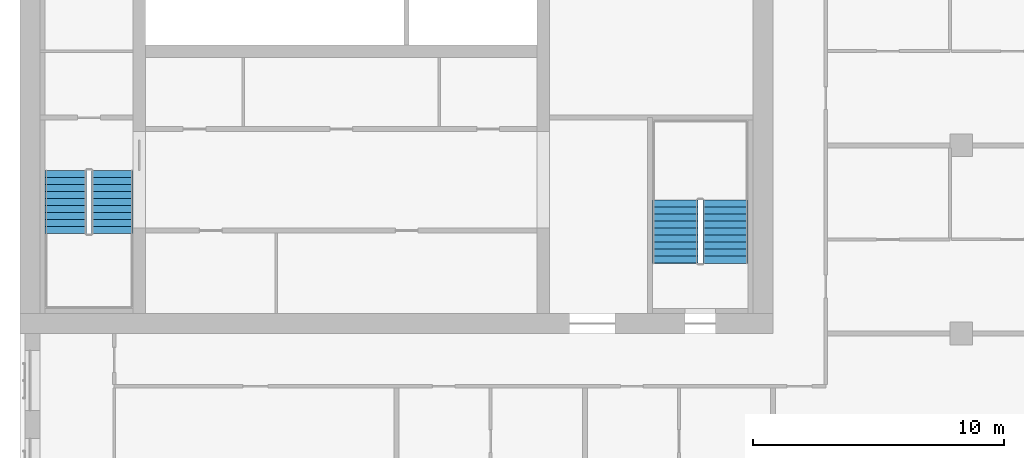
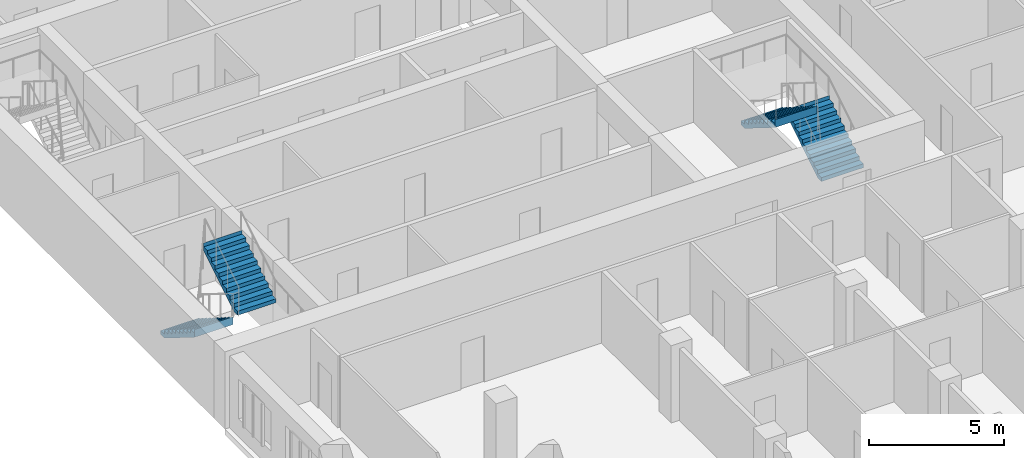
# One storey, part 12 of 14: 4 stair flights, 2 elements without a shape of their own.
"""IFC4 building model written with IfcOpenShell, lengths in metres."""

from ifc_helpers import new_model, si_unit, direction, frame, origin, place, context, subcontext, project, spatial, polyline, outline, extrude, material, type_object, element, aggregate, save


model = new_model("IFC4")

# Units and contexts
model_context = context("Model", 3, precision=1e-05, world=origin(), true_north=direction((0.0, 1.0)))
body_context = subcontext(model_context, "Body", "Model", "MODEL_VIEW")
ifc_project = project(units=[si_unit("LENGTHUNIT", "METRE"), si_unit("AREAUNIT", "SQUARE_METRE"), si_unit("VOLUMEUNIT", "CUBIC_METRE"), si_unit("PLANEANGLEUNIT", "RADIAN"), si_unit("MASSUNIT", "GRAM", prefix="KILO")], contexts=[model_context])

# Site, building, storey
site_placement = place(None, origin())
site = spatial("IfcSite", under=ifc_project, at=site_placement, CompositionType="ELEMENT")
building_placement = place(site_placement, origin())
building = spatial("IfcBuilding", under=site, at=building_placement, Name="Tamorin Gate", CompositionType="ELEMENT")
storey_placement = place(building_placement, frame((0.0, 0.0, 203.699951171875)))
storey = spatial("IfcBuildingStorey", under=building, at=storey_placement, Name="L50", CompositionType="ELEMENT", Elevation=203.699951171875)

# Stair, stair flights
ifc_material = material(Name="Concrete C40/50", Category="concrete")
stair_type = type_object("IfcStairType", Name="Exit stair", PredefinedType="HALF_TURN_STAIR", material=ifc_material)
stair_1_placement = place(storey_placement, origin())
stair_1 = element("IfcStair", 1, at=stair_1_placement, inside=storey, type_object=stair_type, Name="L50 stair ST1", PredefinedType="HALF_TURN_STAIR")
stair_flight_type = type_object("IfcStairFlightType", Name="Exit stair flight", PredefinedType="STRAIGHT", material=ifc_material)
stair_flight_1_placement = place(storey_placement, frame((31.824951171875, 66.5, 0.0), z_axis=(0.0, 0.0, 1.0), x_axis=(0.0, -1.0, 0.0)))
stair_flight_1 = element("IfcStairFlight", 2, at=stair_flight_1_placement, type_object=stair_flight_type, Name="ST1 flight 1", NumberOfRisers=10, NumberOfTreads=9, PredefinedType="STRAIGHT", RiserHeight=0.175, TreadLength=0.28, context=body_context, shape_type="SweptSolid", body=[
    extrude(outline(polyline([(-0.00048828125, 0.0), (-0.00048828125, 0.001708984375), (-0.00048828125, 0.00341796875), (-0.00048828125, 0.005126953125), (-0.00048828125, 0.0068359375), (-0.00048828125, 0.008544921875), (-0.00048828125, 0.010498046875), (-0.00048828125, 0.01220703125), (-0.00048828125, 0.013916015625), (-0.00048828125, 0.015625), (-0.00048828125, 0.017333984375), (-0.00048828125, 0.01904296875), (-0.00048828125, 0.020751953125), (-0.00048828125, 0.0224609375), (-0.00048828125, 0.024169921875), (-0.00048828125, 0.02587890625), (-0.00048828125, 0.02783203125), (-0.00048828125, 0.029541015625), (-0.00048828125, 0.03125), (-0.00048828125, 0.032958984375), (-0.00048828125, 0.03466796875), (-0.00048828125, 0.036376953125), (-0.00048828125, 0.0380859375), (-0.00048828125, 0.039794921875), (-0.00048828125, 0.04150390625), (-0.00048828125, 0.043212890625), (-0.00048828125, 0.045166015625), (-0.00048828125, 0.046875), (-0.00048828125, 0.048583984375), (-0.00048828125, 0.05029296875), (-0.00048828125, 0.052001953125), (-0.00048828125, 0.0537109375), (-0.00048828125, 0.055419921875), (-0.00048828125, 0.05712890625), (-0.00048828125, 0.058837890625), (-0.00048828125, 0.060546875), (-0.00048828125, 0.062255859375), (-0.00048828125, 0.064208984375), (-0.00048828125, 0.06591796875), (-0.00048828125, 0.067626953125), (-0.00048828125, 0.0693359375), (-0.00048828125, 0.071044921875), (-0.00048828125, 0.07275390625), (-0.00048828125, 0.074462890625), (-0.00048828125, 0.076171875), (-0.00048828125, 0.077880859375), (-0.00048828125, 0.07958984375), (-0.00048828125, 0.08154296875), (-0.00048828125, 0.083251953125), (-0.00048828125, 0.0849609375), (-0.00048828125, 0.086669921875), (-0.00048828125, 0.08837890625), (-0.00048828125, 0.090087890625), (-0.00048828125, 0.091796875), (-0.00048828125, 0.093505859375), (-0.00048828125, 0.09521484375), (-0.00048828125, 0.096923828125), (-0.00048828125, 0.098876953125), (-0.00048828125, 0.1005859375), (-0.00048828125, 0.102294921875), (-0.00048828125, 0.10400390625), (-0.00048828125, 0.105712890625), (-0.00048828125, 0.107421875), (-0.00048828125, 0.109130859375), (-0.00048828125, 0.11083984375), (-0.00048828125, 0.112548828125), (-0.00048828125, 0.1142578125), (-0.00048828125, 0.1162109375), (-0.00048828125, 0.117919921875), (-0.00048828125, 0.11962890625), (-0.00048828125, 0.121337890625), (-0.00048828125, 0.123046875), (-0.00048828125, 0.124755859375), (-0.00048828125, 0.12646484375), (-0.00048828125, 0.128173828125), (-0.00048828125, 0.1298828125), (-0.00048828125, 0.131591796875), (-0.00048828125, 0.13330078125), (-0.00048828125, 0.13525390625), (-0.00048828125, 0.136962890625), (-0.00048828125, 0.138671875), (-0.00048828125, 0.140380859375), (-0.00048828125, 0.14208984375), (-0.00048828125, 0.143798828125), (-0.00048828125, 0.1455078125), (-0.00048828125, 0.147216796875), (-0.00048828125, 0.14892578125), (-0.00048828125, 0.150634765625), (-0.00048828125, 0.152587890625), (-0.00048828125, 0.154296875), (-0.00048828125, 0.156005859375), (-0.00048828125, 0.15771484375), (-0.00048828125, 0.159423828125), (-0.00048828125, 0.1611328125), (-0.00048828125, 0.162841796875), (-0.00048828125, 0.16455078125), (-0.00048828125, 0.166259765625), (-0.00048828125, 0.16796875), (-0.00048828125, 0.169921875), (-0.00048828125, 0.171630859375), (-0.00048828125, 0.17333984375), (-0.00048828125, 0.175048828125), (0.280029296875, 0.175048828125), (0.280029296875, 0.35009765625), (0.56005859375, 0.35009765625), (0.56005859375, 0.52490234375), (0.840087890625, 0.52490234375), (0.840087890625, 0.699951171875), (1.1201171875, 0.699951171875), (1.1201171875, 0.875), (1.39990234375, 0.875), (1.39990234375, 1.050048828125), (1.679931640625, 1.050048828125), (1.679931640625, 1.22509765625), (1.9599609375, 1.22509765625), (1.9599609375, 1.39990234375), (2.239990234375, 1.39990234375), (2.239990234375, 1.574951171875), (2.52001953125, 1.574951171875), (2.52001953125, 1.75), (2.5205078125, 1.75), (2.5205078125, 1.74658203125), (2.5205078125, 1.742919921875), (2.5205078125, 1.739501953125), (2.5205078125, 1.736083984375), (2.5205078125, 1.732666015625), (2.5205078125, 1.72900390625), (2.5205078125, 1.7255859375), (2.5205078125, 1.72216796875), (2.5205078125, 1.71875), (2.5205078125, 1.715087890625), (2.5205078125, 1.711669921875), (2.5205078125, 1.708251953125), (2.5205078125, 1.704833984375), (2.5205078125, 1.701171875), (2.5205078125, 1.69775390625), (2.5205078125, 1.6943359375), (2.5205078125, 1.690673828125), (2.5205078125, 1.687255859375), (2.5205078125, 1.683837890625), (2.5205078125, 1.680419921875), (2.5205078125, 1.6767578125), (2.5205078125, 1.67333984375), (2.5205078125, 1.669921875), (2.5205078125, 1.66650390625), (2.5205078125, 1.662841796875), (2.5205078125, 1.659423828125), (2.5205078125, 1.656005859375), (2.5205078125, 1.652587890625), (2.5205078125, 1.64892578125), (2.5205078125, 1.6455078125), (2.5205078125, 1.64208984375), (2.5205078125, 1.638427734375), (2.5205078125, 1.635009765625), (2.5205078125, 1.631591796875), (2.5205078125, 1.628173828125), (2.5205078125, 1.62451171875), (2.5205078125, 1.62109375), (2.5205078125, 1.61767578125), (2.5205078125, 1.6142578125), (2.5205078125, 1.610595703125), (2.5205078125, 1.607177734375), (2.5205078125, 1.603759765625), (2.5205078125, 1.600341796875), (2.5205078125, 1.5966796875), (2.5205078125, 1.59326171875), (2.5205078125, 1.58984375), (2.5205078125, 1.58642578125), (2.5205078125, 1.582763671875), (2.5205078125, 1.579345703125), (2.5205078125, 1.575927734375), (2.5205078125, 1.572265625), (2.5205078125, 1.56884765625), (2.5205078125, 1.5654296875), (2.5205078125, 1.56201171875), (2.5205078125, 1.558349609375), (2.5205078125, 1.554931640625), (2.5205078125, 1.551513671875), (2.5205078125, 1.548095703125), (2.5205078125, 1.54443359375), (2.5205078125, 1.541015625), (2.5205078125, 1.53759765625), (2.5205078125, 1.5341796875), (2.5205078125, 1.530517578125), (2.5205078125, 1.527099609375), (2.5205078125, 1.523681640625), (2.5205078125, 1.52001953125), (2.5205078125, 1.5166015625), (2.5205078125, 1.51318359375), (2.5205078125, 1.509765625), (2.5205078125, 1.506103515625), (2.5205078125, 1.502685546875), (2.5205078125, 1.499267578125), (2.5205078125, 1.495849609375), (2.5205078125, 1.4921875), (2.5205078125, 1.48876953125), (2.5205078125, 1.4853515625), (2.5205078125, 1.48193359375), (2.5205078125, 1.478271484375), (2.5205078125, 1.474853515625), (2.5205078125, 1.471435546875), (2.5205078125, 1.4677734375), (2.5205078125, 1.46435546875), (2.5205078125, 1.4609375), (2.5205078125, 1.45751953125), (2.5205078125, 1.453857421875), (2.5205078125, 1.450439453125), (2.5205078125, 1.447021484375), (2.5205078125, 1.443603515625), (2.5205078125, 1.43994140625), (2.5205078125, 1.4365234375), (2.5205078125, 1.43310546875), (2.5205078125, 1.4296875), (2.5205078125, 1.426025390625), (2.5205078125, 1.422607421875), (2.5205078125, 1.419189453125), (2.5205078125, 1.41552734375), (2.5205078125, 1.412109375), (2.5205078125, 1.40869140625), (2.5205078125, 1.4052734375), (2.5205078125, 1.401611328125), (2.5205078125, 1.398193359375), (2.52001953125, 1.398193359375), (0.28271484375, 0.0), (-0.00048828125, 0.0)])), frame((0.0, 0.824951171875, 0.0), z_axis=(0.0, -1.0, 0.0), x_axis=(1.0, 0.0, 0.0)), (0.0, 0.0, 1.0), 1.64990234375),
])
stair_flight_2_placement = place(storey_placement, frame((33.675048828125, 63.97998046875, 1.75), z_axis=(0.0, 0.0, 1.0), x_axis=(0.0, 1.0, 0.0)))
stair_flight_2 = element("IfcStairFlight", 3, at=stair_flight_2_placement, type_object=stair_flight_type, Name="ST1 flight 2", NumberOfRisers=10, NumberOfTreads=9, PredefinedType="STRAIGHT", RiserHeight=0.175, TreadLength=0.28, context=body_context, shape_type="SweptSolid", body=[
    extrude(outline(polyline([(-0.00048828125, 0.0), (-0.00048828125, 0.001708984375), (-0.00048828125, 0.00341796875), (-0.00048828125, 0.005126953125), (-0.00048828125, 0.0068359375), (-0.00048828125, 0.008544921875), (-0.00048828125, 0.010498046875), (-0.00048828125, 0.01220703125), (-0.00048828125, 0.013916015625), (-0.00048828125, 0.015625), (-0.00048828125, 0.017333984375), (-0.00048828125, 0.01904296875), (-0.00048828125, 0.020751953125), (-0.00048828125, 0.0224609375), (-0.00048828125, 0.024169921875), (-0.00048828125, 0.02587890625), (-0.00048828125, 0.02783203125), (-0.00048828125, 0.029541015625), (-0.00048828125, 0.03125), (-0.00048828125, 0.032958984375), (-0.00048828125, 0.03466796875), (-0.00048828125, 0.036376953125), (-0.00048828125, 0.0380859375), (-0.00048828125, 0.039794921875), (-0.00048828125, 0.04150390625), (-0.00048828125, 0.043212890625), (-0.00048828125, 0.045166015625), (-0.00048828125, 0.046875), (-0.00048828125, 0.048583984375), (-0.00048828125, 0.05029296875), (-0.00048828125, 0.052001953125), (-0.00048828125, 0.0537109375), (-0.00048828125, 0.055419921875), (-0.00048828125, 0.05712890625), (-0.00048828125, 0.058837890625), (-0.00048828125, 0.060546875), (-0.00048828125, 0.062255859375), (-0.00048828125, 0.064208984375), (-0.00048828125, 0.06591796875), (-0.00048828125, 0.067626953125), (-0.00048828125, 0.0693359375), (-0.00048828125, 0.071044921875), (-0.00048828125, 0.07275390625), (-0.00048828125, 0.074462890625), (-0.00048828125, 0.076171875), (-0.00048828125, 0.077880859375), (-0.00048828125, 0.07958984375), (-0.00048828125, 0.08154296875), (-0.00048828125, 0.083251953125), (-0.00048828125, 0.0849609375), (-0.00048828125, 0.086669921875), (-0.00048828125, 0.08837890625), (-0.00048828125, 0.090087890625), (-0.00048828125, 0.091796875), (-0.00048828125, 0.093505859375), (-0.00048828125, 0.09521484375), (-0.00048828125, 0.096923828125), (-0.00048828125, 0.098876953125), (-0.00048828125, 0.1005859375), (-0.00048828125, 0.102294921875), (-0.00048828125, 0.10400390625), (-0.00048828125, 0.105712890625), (-0.00048828125, 0.107421875), (-0.00048828125, 0.109130859375), (-0.00048828125, 0.11083984375), (-0.00048828125, 0.112548828125), (-0.00048828125, 0.1142578125), (-0.00048828125, 0.1162109375), (-0.00048828125, 0.117919921875), (-0.00048828125, 0.11962890625), (-0.00048828125, 0.121337890625), (-0.00048828125, 0.123046875), (-0.00048828125, 0.124755859375), (-0.00048828125, 0.12646484375), (-0.00048828125, 0.128173828125), (-0.00048828125, 0.1298828125), (-0.00048828125, 0.131591796875), (-0.00048828125, 0.13330078125), (-0.00048828125, 0.13525390625), (-0.00048828125, 0.136962890625), (-0.00048828125, 0.138671875), (-0.00048828125, 0.140380859375), (-0.00048828125, 0.14208984375), (-0.00048828125, 0.143798828125), (-0.00048828125, 0.1455078125), (-0.00048828125, 0.147216796875), (-0.00048828125, 0.14892578125), (-0.00048828125, 0.150634765625), (-0.00048828125, 0.152587890625), (-0.00048828125, 0.154296875), (-0.00048828125, 0.156005859375), (-0.00048828125, 0.15771484375), (-0.00048828125, 0.159423828125), (-0.00048828125, 0.1611328125), (-0.00048828125, 0.162841796875), (-0.00048828125, 0.16455078125), (-0.00048828125, 0.166259765625), (-0.00048828125, 0.16796875), (-0.00048828125, 0.169921875), (-0.00048828125, 0.171630859375), (-0.00048828125, 0.17333984375), (-0.00048828125, 0.175048828125), (0.280029296875, 0.175048828125), (0.280029296875, 0.35009765625), (0.56005859375, 0.35009765625), (0.56005859375, 0.52490234375), (0.840087890625, 0.52490234375), (0.840087890625, 0.699951171875), (1.1201171875, 0.699951171875), (1.1201171875, 0.875), (1.39990234375, 0.875), (1.39990234375, 1.050048828125), (1.679931640625, 1.050048828125), (1.679931640625, 1.22509765625), (1.9599609375, 1.22509765625), (1.9599609375, 1.39990234375), (2.239990234375, 1.39990234375), (2.239990234375, 1.574951171875), (2.52001953125, 1.574951171875), (2.52001953125, 1.75), (2.5205078125, 1.75), (2.5205078125, 1.74658203125), (2.5205078125, 1.742919921875), (2.5205078125, 1.739501953125), (2.5205078125, 1.736083984375), (2.5205078125, 1.732666015625), (2.5205078125, 1.72900390625), (2.5205078125, 1.7255859375), (2.5205078125, 1.72216796875), (2.5205078125, 1.71875), (2.5205078125, 1.715087890625), (2.5205078125, 1.711669921875), (2.5205078125, 1.708251953125), (2.5205078125, 1.704833984375), (2.5205078125, 1.701171875), (2.5205078125, 1.69775390625), (2.5205078125, 1.6943359375), (2.5205078125, 1.690673828125), (2.5205078125, 1.687255859375), (2.5205078125, 1.683837890625), (2.5205078125, 1.680419921875), (2.5205078125, 1.6767578125), (2.5205078125, 1.67333984375), (2.5205078125, 1.669921875), (2.5205078125, 1.66650390625), (2.5205078125, 1.662841796875), (2.5205078125, 1.659423828125), (2.5205078125, 1.656005859375), (2.5205078125, 1.652587890625), (2.5205078125, 1.64892578125), (2.5205078125, 1.6455078125), (2.5205078125, 1.64208984375), (2.5205078125, 1.638427734375), (2.5205078125, 1.635009765625), (2.5205078125, 1.631591796875), (2.5205078125, 1.628173828125), (2.5205078125, 1.62451171875), (2.5205078125, 1.62109375), (2.5205078125, 1.61767578125), (2.5205078125, 1.6142578125), (2.5205078125, 1.610595703125), (2.5205078125, 1.607177734375), (2.5205078125, 1.603759765625), (2.5205078125, 1.600341796875), (2.5205078125, 1.5966796875), (2.5205078125, 1.59326171875), (2.5205078125, 1.58984375), (2.5205078125, 1.58642578125), (2.5205078125, 1.582763671875), (2.5205078125, 1.579345703125), (2.5205078125, 1.575927734375), (2.5205078125, 1.572265625), (2.5205078125, 1.56884765625), (2.5205078125, 1.5654296875), (2.5205078125, 1.56201171875), (2.5205078125, 1.558349609375), (2.5205078125, 1.554931640625), (2.5205078125, 1.551513671875), (2.5205078125, 1.548095703125), (2.5205078125, 1.54443359375), (2.5205078125, 1.541015625), (2.5205078125, 1.53759765625), (2.5205078125, 1.5341796875), (2.5205078125, 1.530517578125), (2.5205078125, 1.527099609375), (2.5205078125, 1.523681640625), (2.5205078125, 1.52001953125), (2.5205078125, 1.5166015625), (2.5205078125, 1.51318359375), (2.5205078125, 1.509765625), (2.5205078125, 1.506103515625), (2.5205078125, 1.502685546875), (2.5205078125, 1.499267578125), (2.5205078125, 1.495849609375), (2.5205078125, 1.4921875), (2.5205078125, 1.48876953125), (2.5205078125, 1.4853515625), (2.5205078125, 1.48193359375), (2.5205078125, 1.478271484375), (2.5205078125, 1.474853515625), (2.5205078125, 1.471435546875), (2.5205078125, 1.4677734375), (2.5205078125, 1.46435546875), (2.5205078125, 1.4609375), (2.5205078125, 1.45751953125), (2.5205078125, 1.453857421875), (2.5205078125, 1.450439453125), (2.5205078125, 1.447021484375), (2.5205078125, 1.443603515625), (2.5205078125, 1.43994140625), (2.5205078125, 1.4365234375), (2.5205078125, 1.43310546875), (2.5205078125, 1.4296875), (2.5205078125, 1.426025390625), (2.5205078125, 1.422607421875), (2.5205078125, 1.419189453125), (2.5205078125, 1.41552734375), (2.5205078125, 1.412109375), (2.5205078125, 1.40869140625), (2.5205078125, 1.4052734375), (2.5205078125, 1.401611328125), (2.5205078125, 1.398193359375), (2.52001953125, 1.398193359375), (0.28271484375, 0.0), (-0.00048828125, 0.0)])), frame((0.0, 0.824951171875, 0.0), z_axis=(0.0, -1.0, 0.0), x_axis=(1.0, 0.0, 0.0)), (0.0, 0.0, 1.0), 1.64990234375),
])
aggregate(stair_1, [stair_flight_1, stair_flight_2])

stair_2_placement = place(storey_placement, origin())
stair_2 = element("IfcStair", 4, at=stair_2_placement, inside=storey, type_object=stair_type, Name="L50 stair ST3", PredefinedType="HALF_TURN_STAIR")
stair_flight_3_placement = place(storey_placement, frame((58.10009765625, 62.800048828125, 0.0), z_axis=(0.0, 0.0, 1.0), x_axis=(0.0, 1.0, 0.0)))
stair_flight_3 = element("IfcStairFlight", 5, at=stair_flight_3_placement, type_object=stair_flight_type, Name="ST3 flight 1", NumberOfRisers=10, NumberOfTreads=9, PredefinedType="STRAIGHT", RiserHeight=0.175, TreadLength=0.28, context=body_context, shape_type="SweptSolid", body=[
    extrude(outline(polyline([(-0.00048828125, 0.0), (-0.00048828125, 0.001708984375), (-0.00048828125, 0.00341796875), (-0.00048828125, 0.005126953125), (-0.00048828125, 0.0068359375), (-0.00048828125, 0.008544921875), (-0.00048828125, 0.010498046875), (-0.00048828125, 0.01220703125), (-0.00048828125, 0.013916015625), (-0.00048828125, 0.015625), (-0.00048828125, 0.017333984375), (-0.00048828125, 0.01904296875), (-0.00048828125, 0.020751953125), (-0.00048828125, 0.0224609375), (-0.00048828125, 0.024169921875), (-0.00048828125, 0.02587890625), (-0.00048828125, 0.02783203125), (-0.00048828125, 0.029541015625), (-0.00048828125, 0.03125), (-0.00048828125, 0.032958984375), (-0.00048828125, 0.03466796875), (-0.00048828125, 0.036376953125), (-0.00048828125, 0.0380859375), (-0.00048828125, 0.039794921875), (-0.00048828125, 0.04150390625), (-0.00048828125, 0.043212890625), (-0.00048828125, 0.045166015625), (-0.00048828125, 0.046875), (-0.00048828125, 0.048583984375), (-0.00048828125, 0.05029296875), (-0.00048828125, 0.052001953125), (-0.00048828125, 0.0537109375), (-0.00048828125, 0.055419921875), (-0.00048828125, 0.05712890625), (-0.00048828125, 0.058837890625), (-0.00048828125, 0.060546875), (-0.00048828125, 0.062255859375), (-0.00048828125, 0.064208984375), (-0.00048828125, 0.06591796875), (-0.00048828125, 0.067626953125), (-0.00048828125, 0.0693359375), (-0.00048828125, 0.071044921875), (-0.00048828125, 0.07275390625), (-0.00048828125, 0.074462890625), (-0.00048828125, 0.076171875), (-0.00048828125, 0.077880859375), (-0.00048828125, 0.07958984375), (-0.00048828125, 0.08154296875), (-0.00048828125, 0.083251953125), (-0.00048828125, 0.0849609375), (-0.00048828125, 0.086669921875), (-0.00048828125, 0.08837890625), (-0.00048828125, 0.090087890625), (-0.00048828125, 0.091796875), (-0.00048828125, 0.093505859375), (-0.00048828125, 0.09521484375), (-0.00048828125, 0.096923828125), (-0.00048828125, 0.098876953125), (-0.00048828125, 0.1005859375), (-0.00048828125, 0.102294921875), (-0.00048828125, 0.10400390625), (-0.00048828125, 0.105712890625), (-0.00048828125, 0.107421875), (-0.00048828125, 0.109130859375), (-0.00048828125, 0.11083984375), (-0.00048828125, 0.112548828125), (-0.00048828125, 0.1142578125), (-0.00048828125, 0.1162109375), (-0.00048828125, 0.117919921875), (-0.00048828125, 0.11962890625), (-0.00048828125, 0.121337890625), (-0.00048828125, 0.123046875), (-0.00048828125, 0.124755859375), (-0.00048828125, 0.12646484375), (-0.00048828125, 0.128173828125), (-0.00048828125, 0.1298828125), (-0.00048828125, 0.131591796875), (-0.00048828125, 0.13330078125), (-0.00048828125, 0.13525390625), (-0.00048828125, 0.136962890625), (-0.00048828125, 0.138671875), (-0.00048828125, 0.140380859375), (-0.00048828125, 0.14208984375), (-0.00048828125, 0.143798828125), (-0.00048828125, 0.1455078125), (-0.00048828125, 0.147216796875), (-0.00048828125, 0.14892578125), (-0.00048828125, 0.150634765625), (-0.00048828125, 0.152587890625), (-0.00048828125, 0.154296875), (-0.00048828125, 0.156005859375), (-0.00048828125, 0.15771484375), (-0.00048828125, 0.159423828125), (-0.00048828125, 0.1611328125), (-0.00048828125, 0.162841796875), (-0.00048828125, 0.16455078125), (-0.00048828125, 0.166259765625), (-0.00048828125, 0.16796875), (-0.00048828125, 0.169921875), (-0.00048828125, 0.171630859375), (-0.00048828125, 0.17333984375), (-0.00048828125, 0.175048828125), (0.280029296875, 0.175048828125), (0.280029296875, 0.35009765625), (0.56005859375, 0.35009765625), (0.56005859375, 0.52490234375), (0.840087890625, 0.52490234375), (0.840087890625, 0.699951171875), (1.1201171875, 0.699951171875), (1.1201171875, 0.875), (1.39990234375, 0.875), (1.39990234375, 1.050048828125), (1.679931640625, 1.050048828125), (1.679931640625, 1.22509765625), (1.9599609375, 1.22509765625), (1.9599609375, 1.39990234375), (2.239990234375, 1.39990234375), (2.239990234375, 1.574951171875), (2.52001953125, 1.574951171875), (2.52001953125, 1.75), (2.5205078125, 1.75), (2.5205078125, 1.74658203125), (2.5205078125, 1.742919921875), (2.5205078125, 1.739501953125), (2.5205078125, 1.736083984375), (2.5205078125, 1.732666015625), (2.5205078125, 1.72900390625), (2.5205078125, 1.7255859375), (2.5205078125, 1.72216796875), (2.5205078125, 1.71875), (2.5205078125, 1.715087890625), (2.5205078125, 1.711669921875), (2.5205078125, 1.708251953125), (2.5205078125, 1.704833984375), (2.5205078125, 1.701171875), (2.5205078125, 1.69775390625), (2.5205078125, 1.6943359375), (2.5205078125, 1.690673828125), (2.5205078125, 1.687255859375), (2.5205078125, 1.683837890625), (2.5205078125, 1.680419921875), (2.5205078125, 1.6767578125), (2.5205078125, 1.67333984375), (2.5205078125, 1.669921875), (2.5205078125, 1.66650390625), (2.5205078125, 1.662841796875), (2.5205078125, 1.659423828125), (2.5205078125, 1.656005859375), (2.5205078125, 1.652587890625), (2.5205078125, 1.64892578125), (2.5205078125, 1.6455078125), (2.5205078125, 1.64208984375), (2.5205078125, 1.638427734375), (2.5205078125, 1.635009765625), (2.5205078125, 1.631591796875), (2.5205078125, 1.628173828125), (2.5205078125, 1.62451171875), (2.5205078125, 1.62109375), (2.5205078125, 1.61767578125), (2.5205078125, 1.6142578125), (2.5205078125, 1.610595703125), (2.5205078125, 1.607177734375), (2.5205078125, 1.603759765625), (2.5205078125, 1.600341796875), (2.5205078125, 1.5966796875), (2.5205078125, 1.59326171875), (2.5205078125, 1.58984375), (2.5205078125, 1.58642578125), (2.5205078125, 1.582763671875), (2.5205078125, 1.579345703125), (2.5205078125, 1.575927734375), (2.5205078125, 1.572265625), (2.5205078125, 1.56884765625), (2.5205078125, 1.5654296875), (2.5205078125, 1.56201171875), (2.5205078125, 1.558349609375), (2.5205078125, 1.554931640625), (2.5205078125, 1.551513671875), (2.5205078125, 1.548095703125), (2.5205078125, 1.54443359375), (2.5205078125, 1.541015625), (2.5205078125, 1.53759765625), (2.5205078125, 1.5341796875), (2.5205078125, 1.530517578125), (2.5205078125, 1.527099609375), (2.5205078125, 1.523681640625), (2.5205078125, 1.52001953125), (2.5205078125, 1.5166015625), (2.5205078125, 1.51318359375), (2.5205078125, 1.509765625), (2.5205078125, 1.506103515625), (2.5205078125, 1.502685546875), (2.5205078125, 1.499267578125), (2.5205078125, 1.495849609375), (2.5205078125, 1.4921875), (2.5205078125, 1.48876953125), (2.5205078125, 1.4853515625), (2.5205078125, 1.48193359375), (2.5205078125, 1.478271484375), (2.5205078125, 1.474853515625), (2.5205078125, 1.471435546875), (2.5205078125, 1.4677734375), (2.5205078125, 1.46435546875), (2.5205078125, 1.4609375), (2.5205078125, 1.45751953125), (2.5205078125, 1.453857421875), (2.5205078125, 1.450439453125), (2.5205078125, 1.447021484375), (2.5205078125, 1.443603515625), (2.5205078125, 1.43994140625), (2.5205078125, 1.4365234375), (2.5205078125, 1.43310546875), (2.5205078125, 1.4296875), (2.5205078125, 1.426025390625), (2.5205078125, 1.422607421875), (2.5205078125, 1.419189453125), (2.5205078125, 1.41552734375), (2.5205078125, 1.412109375), (2.5205078125, 1.40869140625), (2.5205078125, 1.4052734375), (2.5205078125, 1.401611328125), (2.5205078125, 1.398193359375), (2.52001953125, 1.398193359375), (0.28271484375, 0.0), (-0.00048828125, 0.0)])), frame((0.0, 0.89990234375, 0.0), z_axis=(0.0, -1.0, 0.0), x_axis=(1.0, 0.0, 0.0)), (0.0, 0.0, 1.0), 1.800048828125),
])
stair_flight_4_placement = place(storey_placement, frame((56.10009765625, 65.320068359375, 1.75), z_axis=(0.0, 0.0, 1.0), x_axis=(0.0, -1.0, 0.0)))
stair_flight_4 = element("IfcStairFlight", 6, at=stair_flight_4_placement, type_object=stair_flight_type, Name="ST3 flight 2", NumberOfRisers=10, NumberOfTreads=9, PredefinedType="STRAIGHT", RiserHeight=0.175, TreadLength=0.28, context=body_context, shape_type="SweptSolid", body=[
    extrude(outline(polyline([(-0.00048828125, 0.0), (-0.00048828125, 0.001708984375), (-0.00048828125, 0.00341796875), (-0.00048828125, 0.005126953125), (-0.00048828125, 0.0068359375), (-0.00048828125, 0.008544921875), (-0.00048828125, 0.010498046875), (-0.00048828125, 0.01220703125), (-0.00048828125, 0.013916015625), (-0.00048828125, 0.015625), (-0.00048828125, 0.017333984375), (-0.00048828125, 0.01904296875), (-0.00048828125, 0.020751953125), (-0.00048828125, 0.0224609375), (-0.00048828125, 0.024169921875), (-0.00048828125, 0.02587890625), (-0.00048828125, 0.02783203125), (-0.00048828125, 0.029541015625), (-0.00048828125, 0.03125), (-0.00048828125, 0.032958984375), (-0.00048828125, 0.03466796875), (-0.00048828125, 0.036376953125), (-0.00048828125, 0.0380859375), (-0.00048828125, 0.039794921875), (-0.00048828125, 0.04150390625), (-0.00048828125, 0.043212890625), (-0.00048828125, 0.045166015625), (-0.00048828125, 0.046875), (-0.00048828125, 0.048583984375), (-0.00048828125, 0.05029296875), (-0.00048828125, 0.052001953125), (-0.00048828125, 0.0537109375), (-0.00048828125, 0.055419921875), (-0.00048828125, 0.05712890625), (-0.00048828125, 0.058837890625), (-0.00048828125, 0.060546875), (-0.00048828125, 0.062255859375), (-0.00048828125, 0.064208984375), (-0.00048828125, 0.06591796875), (-0.00048828125, 0.067626953125), (-0.00048828125, 0.0693359375), (-0.00048828125, 0.071044921875), (-0.00048828125, 0.07275390625), (-0.00048828125, 0.074462890625), (-0.00048828125, 0.076171875), (-0.00048828125, 0.077880859375), (-0.00048828125, 0.07958984375), (-0.00048828125, 0.08154296875), (-0.00048828125, 0.083251953125), (-0.00048828125, 0.0849609375), (-0.00048828125, 0.086669921875), (-0.00048828125, 0.08837890625), (-0.00048828125, 0.090087890625), (-0.00048828125, 0.091796875), (-0.00048828125, 0.093505859375), (-0.00048828125, 0.09521484375), (-0.00048828125, 0.096923828125), (-0.00048828125, 0.098876953125), (-0.00048828125, 0.1005859375), (-0.00048828125, 0.102294921875), (-0.00048828125, 0.10400390625), (-0.00048828125, 0.105712890625), (-0.00048828125, 0.107421875), (-0.00048828125, 0.109130859375), (-0.00048828125, 0.11083984375), (-0.00048828125, 0.112548828125), (-0.00048828125, 0.1142578125), (-0.00048828125, 0.1162109375), (-0.00048828125, 0.117919921875), (-0.00048828125, 0.11962890625), (-0.00048828125, 0.121337890625), (-0.00048828125, 0.123046875), (-0.00048828125, 0.124755859375), (-0.00048828125, 0.12646484375), (-0.00048828125, 0.128173828125), (-0.00048828125, 0.1298828125), (-0.00048828125, 0.131591796875), (-0.00048828125, 0.13330078125), (-0.00048828125, 0.13525390625), (-0.00048828125, 0.136962890625), (-0.00048828125, 0.138671875), (-0.00048828125, 0.140380859375), (-0.00048828125, 0.14208984375), (-0.00048828125, 0.143798828125), (-0.00048828125, 0.1455078125), (-0.00048828125, 0.147216796875), (-0.00048828125, 0.14892578125), (-0.00048828125, 0.150634765625), (-0.00048828125, 0.152587890625), (-0.00048828125, 0.154296875), (-0.00048828125, 0.156005859375), (-0.00048828125, 0.15771484375), (-0.00048828125, 0.159423828125), (-0.00048828125, 0.1611328125), (-0.00048828125, 0.162841796875), (-0.00048828125, 0.16455078125), (-0.00048828125, 0.166259765625), (-0.00048828125, 0.16796875), (-0.00048828125, 0.169921875), (-0.00048828125, 0.171630859375), (-0.00048828125, 0.17333984375), (-0.00048828125, 0.175048828125), (0.280029296875, 0.175048828125), (0.280029296875, 0.35009765625), (0.56005859375, 0.35009765625), (0.56005859375, 0.52490234375), (0.840087890625, 0.52490234375), (0.840087890625, 0.699951171875), (1.1201171875, 0.699951171875), (1.1201171875, 0.875), (1.39990234375, 0.875), (1.39990234375, 1.050048828125), (1.679931640625, 1.050048828125), (1.679931640625, 1.22509765625), (1.9599609375, 1.22509765625), (1.9599609375, 1.39990234375), (2.239990234375, 1.39990234375), (2.239990234375, 1.574951171875), (2.52001953125, 1.574951171875), (2.52001953125, 1.75), (2.5205078125, 1.75), (2.5205078125, 1.74658203125), (2.5205078125, 1.742919921875), (2.5205078125, 1.739501953125), (2.5205078125, 1.736083984375), (2.5205078125, 1.732666015625), (2.5205078125, 1.72900390625), (2.5205078125, 1.7255859375), (2.5205078125, 1.72216796875), (2.5205078125, 1.71875), (2.5205078125, 1.715087890625), (2.5205078125, 1.711669921875), (2.5205078125, 1.708251953125), (2.5205078125, 1.704833984375), (2.5205078125, 1.701171875), (2.5205078125, 1.69775390625), (2.5205078125, 1.6943359375), (2.5205078125, 1.690673828125), (2.5205078125, 1.687255859375), (2.5205078125, 1.683837890625), (2.5205078125, 1.680419921875), (2.5205078125, 1.6767578125), (2.5205078125, 1.67333984375), (2.5205078125, 1.669921875), (2.5205078125, 1.66650390625), (2.5205078125, 1.662841796875), (2.5205078125, 1.659423828125), (2.5205078125, 1.656005859375), (2.5205078125, 1.652587890625), (2.5205078125, 1.64892578125), (2.5205078125, 1.6455078125), (2.5205078125, 1.64208984375), (2.5205078125, 1.638427734375), (2.5205078125, 1.635009765625), (2.5205078125, 1.631591796875), (2.5205078125, 1.628173828125), (2.5205078125, 1.62451171875), (2.5205078125, 1.62109375), (2.5205078125, 1.61767578125), (2.5205078125, 1.6142578125), (2.5205078125, 1.610595703125), (2.5205078125, 1.607177734375), (2.5205078125, 1.603759765625), (2.5205078125, 1.600341796875), (2.5205078125, 1.5966796875), (2.5205078125, 1.59326171875), (2.5205078125, 1.58984375), (2.5205078125, 1.58642578125), (2.5205078125, 1.582763671875), (2.5205078125, 1.579345703125), (2.5205078125, 1.575927734375), (2.5205078125, 1.572265625), (2.5205078125, 1.56884765625), (2.5205078125, 1.5654296875), (2.5205078125, 1.56201171875), (2.5205078125, 1.558349609375), (2.5205078125, 1.554931640625), (2.5205078125, 1.551513671875), (2.5205078125, 1.548095703125), (2.5205078125, 1.54443359375), (2.5205078125, 1.541015625), (2.5205078125, 1.53759765625), (2.5205078125, 1.5341796875), (2.5205078125, 1.530517578125), (2.5205078125, 1.527099609375), (2.5205078125, 1.523681640625), (2.5205078125, 1.52001953125), (2.5205078125, 1.5166015625), (2.5205078125, 1.51318359375), (2.5205078125, 1.509765625), (2.5205078125, 1.506103515625), (2.5205078125, 1.502685546875), (2.5205078125, 1.499267578125), (2.5205078125, 1.495849609375), (2.5205078125, 1.4921875), (2.5205078125, 1.48876953125), (2.5205078125, 1.4853515625), (2.5205078125, 1.48193359375), (2.5205078125, 1.478271484375), (2.5205078125, 1.474853515625), (2.5205078125, 1.471435546875), (2.5205078125, 1.4677734375), (2.5205078125, 1.46435546875), (2.5205078125, 1.4609375), (2.5205078125, 1.45751953125), (2.5205078125, 1.453857421875), (2.5205078125, 1.450439453125), (2.5205078125, 1.447021484375), (2.5205078125, 1.443603515625), (2.5205078125, 1.43994140625), (2.5205078125, 1.4365234375), (2.5205078125, 1.43310546875), (2.5205078125, 1.4296875), (2.5205078125, 1.426025390625), (2.5205078125, 1.422607421875), (2.5205078125, 1.419189453125), (2.5205078125, 1.41552734375), (2.5205078125, 1.412109375), (2.5205078125, 1.40869140625), (2.5205078125, 1.4052734375), (2.5205078125, 1.401611328125), (2.5205078125, 1.398193359375), (2.52001953125, 1.398193359375), (0.28271484375, 0.0), (-0.00048828125, 0.0)])), frame((0.0, 0.89990234375, 0.0), z_axis=(0.0, -1.0, 0.0), x_axis=(1.0, 0.0, 0.0)), (0.0, 0.0, 1.0), 1.800048828125),
])
aggregate(stair_2, [stair_flight_3, stair_flight_4])

save(model, "model.ifc")
